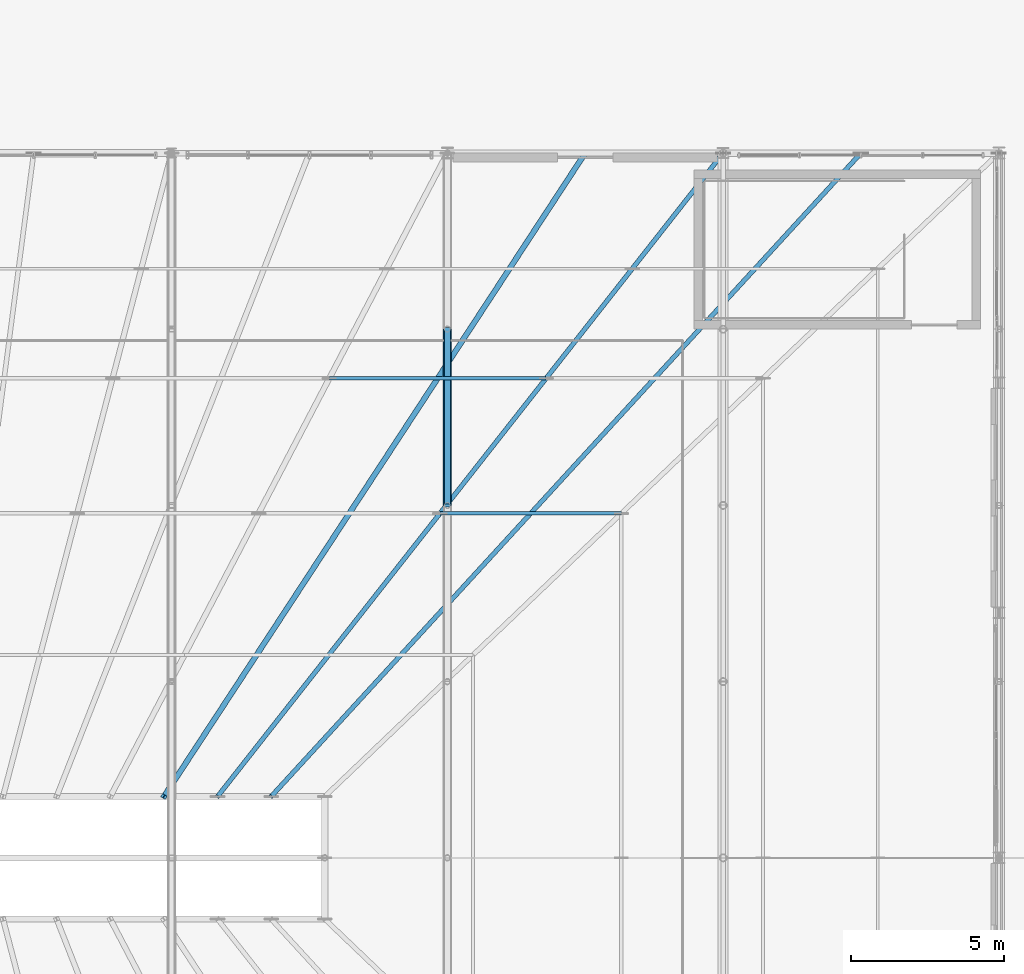
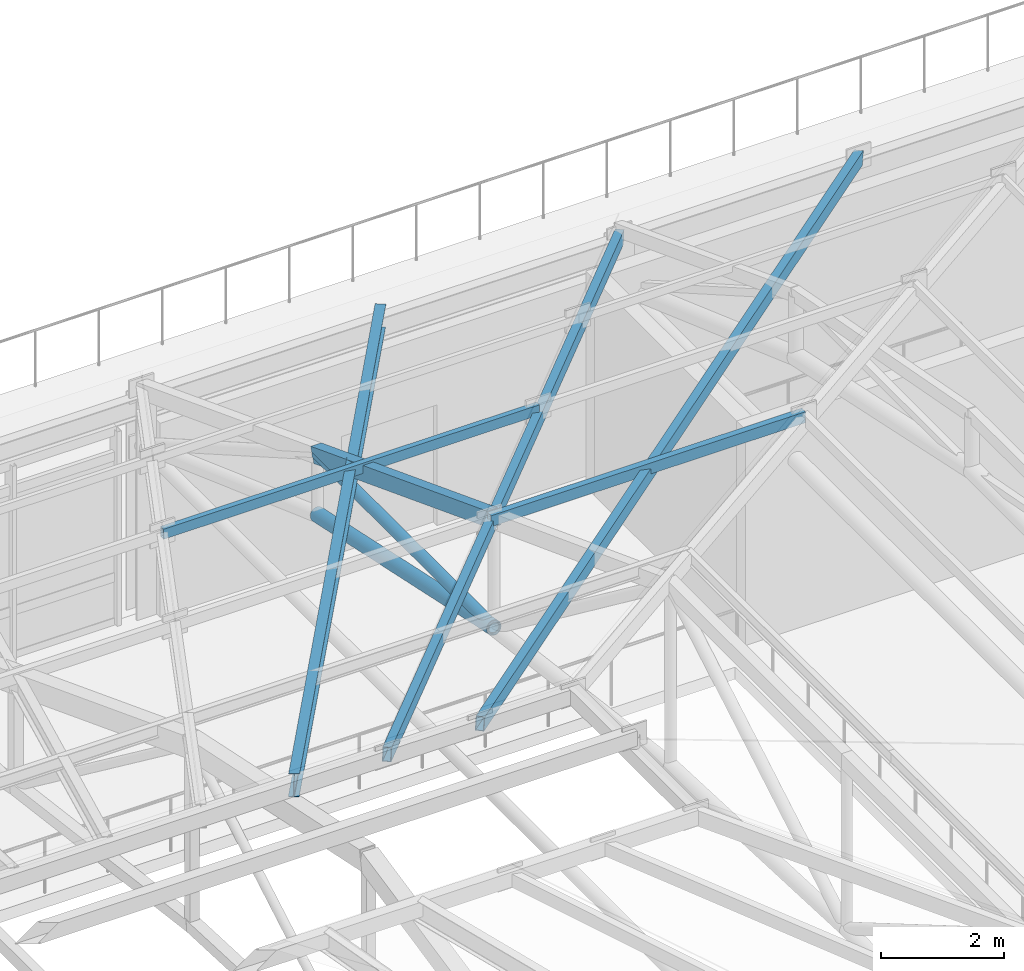
# One storey, part 61 of 168: 7 members, 1 beam.
"""IFC4 building model written with IfcOpenShell, lengths in metres."""

from ifc_helpers import new_model, si_unit, direction, frame, origin, origin_2d, place, context, subcontext, project, spatial, hollow_rectangle, hollow_circle, i_section, extrude, material, material_profile, profile_set, type_object, element, save


model = new_model("IFC4")

# Units and contexts
model_context = context("Model", 3, precision=1e-05, world=origin(), true_north=direction((0.0, 1.0)))
body_context = subcontext(model_context, "Body", "Model", "MODEL_VIEW")
ifc_project = project(units=[si_unit("LENGTHUNIT", "METRE"), si_unit("AREAUNIT", "SQUARE_METRE"), si_unit("VOLUMEUNIT", "CUBIC_METRE"), si_unit("PLANEANGLEUNIT", "RADIAN"), si_unit("MASSUNIT", "GRAM", prefix="KILO"), si_unit("THERMODYNAMICTEMPERATUREUNIT", "KELVIN"), si_unit("POWERUNIT", "WATT")], contexts=[model_context])

# Site, building, storey
site_placement = place(None, origin())
site = spatial("IfcSite", under=ifc_project, at=site_placement, CompositionType="ELEMENT")
building_placement = place(site_placement, origin())
building = spatial("IfcBuilding", under=site, at=building_placement, Name="Tepalcoro Natatorium and Aquatics Centre", CompositionType="ELEMENT")
storey_placement = place(building_placement, frame((0.0, 0.0, 10.199951171875)))
storey = spatial("IfcBuildingStorey", under=building, at=storey_placement, Name="L02", CompositionType="ELEMENT", Elevation=10.199951171875)

# Beam
ifc_material_1 = material(Name="Terracotta Painted Hollow Steel ASTM A500 Grade C (Fy 345 MPa)", Category="masonry")
ifc_material_profile_1 = material_profile(ifc_material_1, hollow_rectangle(XDim=0.199951171875, YDim=0.300048828125, WallThickness=0.013916015625, at=origin_2d()), Name="HSS300X200X14")
ifc_profile_set_1 = profile_set([ifc_material_profile_1], Name="Terracotta Painted Hollow Steel ASTM A500 Grade C (Fy 345 MPa)")
beam_type = type_object("IfcBeamType", Name="AC_HSS300x200x14", PredefinedType="USERDEFINED", material=ifc_profile_set_1)
beam_placement = place(storey_placement, frame((107.0, 47.5, 8.842041015625), z_axis=(0.0, 0.934186419385, -0.356785276935), x_axis=(-1.0, 0.0, 0.0)))
element("IfcBeam", 1, at=beam_placement, inside=storey, type_object=beam_type, Name="V1 Arched Truss Top Chord 7", ObjectType="ARCH CHORD", PredefinedType="USERDEFINED", context=body_context, shape_type="SweptSolid", body=[
    extrude(hollow_rectangle(XDim=0.199951171875, YDim=0.300048828125, WallThickness=0.013916015625, at=origin_2d()), origin(), (0.0, 0.0, 1.0), 6.155029296875),
])

# Members
ifc_material_profile_2 = material_profile(ifc_material_1, hollow_circle(Radius=0.136474609375, WallThickness=0.01611328125, at=origin_2d()), Name="CHS273X16")
ifc_profile_set_2 = profile_set([ifc_material_profile_2], Name="Terracotta Painted Hollow Steel ASTM A500 Grade C (Fy 345 MPa)")
member_type_1 = type_object("IfcMemberType", Name="MB_CH_CHS273x16", PredefinedType="CHORD", material=ifc_profile_set_2)
member_1_placement = place(storey_placement, frame((107.0, 47.5, 6.66259765625), z_axis=(0.0, 0.977724584974, -0.209891962535), x_axis=(-1.0, 0.0, 0.0)))
element("IfcMember", 2, at=member_1_placement, inside=storey, type_object=member_type_1, Name="V1 Arched Truss Bottom Chord 7", PredefinedType="CHORD", context=body_context, shape_type="SweptSolid", body=[
    extrude(hollow_circle(Radius=0.136474609375, WallThickness=0.01611328125, at=origin_2d()), origin(), (0.0, 0.0, 1.0), 5.881103515625),
])
ifc_material_2 = material(Name="Hollow Steel ASTM A500 Grade C (Fy 345 MPa)", Category="steel")
ifc_material_profile_3 = material_profile(ifc_material_2, hollow_rectangle(XDim=0.10009765625, YDim=0.199951171875, WallThickness=0.008056640625, at=origin_2d()), Name="HSS200X100X8")
ifc_profile_set_3 = profile_set([ifc_material_profile_3], Name="Hollow Steel ASTM A500 Grade C (Fy 345 MPa)")
member_type_2 = type_object("IfcMemberType", Name="MB_PR_HSS200x100x8", PredefinedType="PURLIN", material=ifc_profile_set_3)
member_2_placement = place(storey_placement, frame((103.14990234375, 51.64990234375, 7.380126953125), z_axis=(1.0, 0.0, 0.0), x_axis=(0.0, 1.0, 0.0)))
element("IfcMember", 3, at=member_2_placement, inside=storey, type_object=member_type_2, Name="Pyramid Horizontal Purlin North", PredefinedType="PURLIN", context=body_context, shape_type="SweptSolid", body=[
    extrude(hollow_rectangle(XDim=0.10009765625, YDim=0.199951171875, WallThickness=0.008056640625, at=origin_2d()), origin(), (0.0, 0.0, 1.0), 7.0751953125),
])
ifc_material_profile_4 = material_profile(ifc_material_2, hollow_rectangle(XDim=0.1201171875, YDim=0.219970703125, WallThickness=0.010009765625, at=origin_2d()), Name="HSS220X120X10")
ifc_profile_set_4 = profile_set([ifc_material_profile_4], Name="Hollow Steel ASTM A500 Grade C (Fy 345 MPa)")
member_type_3 = type_object("IfcMemberType", Name="MB_PR_HSS220x120x10", PredefinedType="PURLIN", material=ifc_profile_set_4)
member_3_placement = place(storey_placement, frame((106.760009765625, 47.239990234375, 9.05419921875), z_axis=(1.0, 0.0, 0.0), x_axis=(0.0, 1.0, 0.0)))
element("IfcMember", 4, at=member_3_placement, inside=storey, type_object=member_type_3, Name="Pyramid Horizontal Purlin North", PredefinedType="PURLIN", context=body_context, shape_type="SweptSolid", body=[
    extrude(hollow_rectangle(XDim=0.1201171875, YDim=0.219970703125, WallThickness=0.010009765625, at=origin_2d()), origin(), (0.0, 0.0, 1.0), 5.919921875),
])
ifc_material_profile_5 = material_profile(ifc_material_1, hollow_rectangle(XDim=0.14990234375, YDim=0.25, WallThickness=0.010009765625, at=origin_2d()), Name="HSS250X150X10")
ifc_profile_set_5 = profile_set([ifc_material_profile_5], Name="Terracotta Painted Hollow Steel ASTM A500 Grade C (Fy 345 MPa)")
member_type_4 = type_object("IfcMemberType", Name="MB_RF_HSS250x150x10", PredefinedType="RAFTER", material=ifc_profile_set_5)
member_4_placement = place(storey_placement, frame((116.0, 59.0, 4.320068359375), z_axis=(-0.590577770954, -0.75164443576, 0.293681015125), x_axis=(0.786318338822, -0.617821551932, 0.0)))
element("IfcMember", 5, at=member_4_placement, inside=storey, type_object=member_type_4, Name="Pyramid Skylight Rafter North", PredefinedType="RAFTER", context=body_context, shape_type="SweptSolid", body=[
    extrude(hollow_rectangle(XDim=0.14990234375, YDim=0.25, WallThickness=0.010009765625, at=origin_2d()), origin(), (0.0, 0.0, 1.0), 27.938720703125),
])
member_5_placement = place(storey_placement, frame((120.5, 59.0, 4.320068359375), z_axis=(-0.649328564476, -0.708358433974, 0.276768394822), x_axis=(0.737154140201, -0.675724628517, 0.0)))
element("IfcMember", 6, at=member_5_placement, inside=storey, type_object=member_type_4, Name="Pyramid Skylight Rafter North", PredefinedType="RAFTER", context=body_context, shape_type="SweptSolid", body=[
    extrude(hollow_rectangle(XDim=0.14990234375, YDim=0.25, WallThickness=0.010009765625, at=origin_2d()), origin(), (0.0, 0.0, 1.0), 29.64599609375),
])
ifc_material_3 = material(Name="Steel ASTM A992 Grade 50 (Fy 345 MPa)", Category="steel")
ifc_material_profile_6 = material_profile(ifc_material_3, i_section(OverallWidth=0.177978515625, OverallDepth=0.403076171875, WebThickness=0.008056640625, FlangeThickness=0.010986328125, FilletRadius=0.013916015625, at=origin_2d()), Name="W16X36")
ifc_profile_set_6 = profile_set([ifc_material_profile_6], Name="Steel ASTM A992 Grade 50 (Fy 345 MPa)")
member_type_5 = type_object("IfcMemberType", Name="MB_RF_W16x36", PredefinedType="RAFTER", material=ifc_profile_set_6)
member_6_placement = place(storey_placement, frame((111.5, 59.0, 4.320068359375), z_axis=(-0.520674304888, -0.795211665647, 0.310703516312), x_axis=(0.836618528628, -0.547785941364, 0.0)))
element("IfcMember", 7, at=member_6_placement, inside=storey, type_object=member_type_5, Name="Pyramid Skylight Rafter North", PredefinedType="RAFTER", context=body_context, shape_type="SweptSolid", body=[
    extrude(i_section(OverallWidth=0.177978515625, OverallDepth=0.403076171875, WebThickness=0.008056640625, FlangeThickness=0.010986328125, FilletRadius=0.013916015625, at=origin_2d()), origin(), (0.0, 0.0, 1.0), 26.407958984375),
])
ifc_material_profile_7 = material_profile(ifc_material_1, hollow_circle(Radius=0.109619140625, WallThickness=0.013916015625, at=origin_2d()), Name="CHS219X14")
ifc_profile_set_7 = profile_set([ifc_material_profile_7], Name="Terracotta Painted Hollow Steel ASTM A500 Grade C (Fy 345 MPa)")
member_type_6 = type_object("IfcMemberType", Name="MB_ST_CHS219x14", PredefinedType="STRUT", material=ifc_profile_set_7)
member_7_placement = place(storey_placement, frame((107.0, 47.5, 6.66259765625), z_axis=(0.0, 0.999995831983, -0.002887216227), x_axis=(-1.0, 0.0, 0.0)))
element("IfcMember", 8, at=member_7_placement, inside=storey, type_object=member_type_6, Name="V1 Arched Truss Web Diagonal 7", PredefinedType="STRUT", context=body_context, shape_type="SweptSolid", body=[
    extrude(hollow_circle(Radius=0.109619140625, WallThickness=0.013916015625, at=origin_2d()), origin(), (0.0, 0.0, 1.0), 5.75),
])

save(model, "model.ifc")
